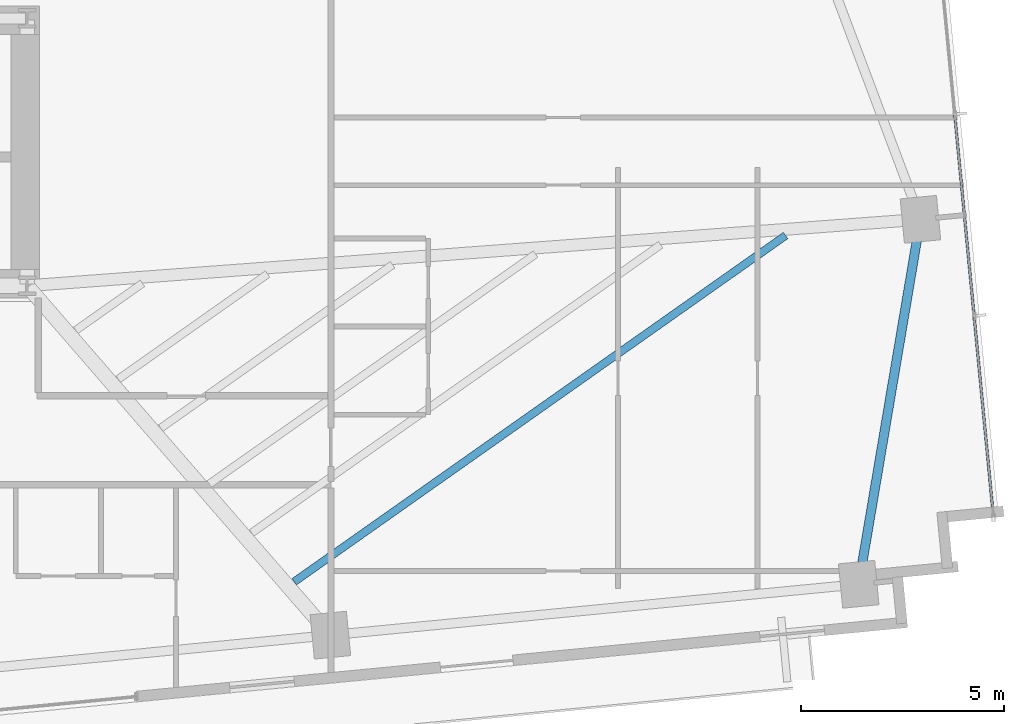
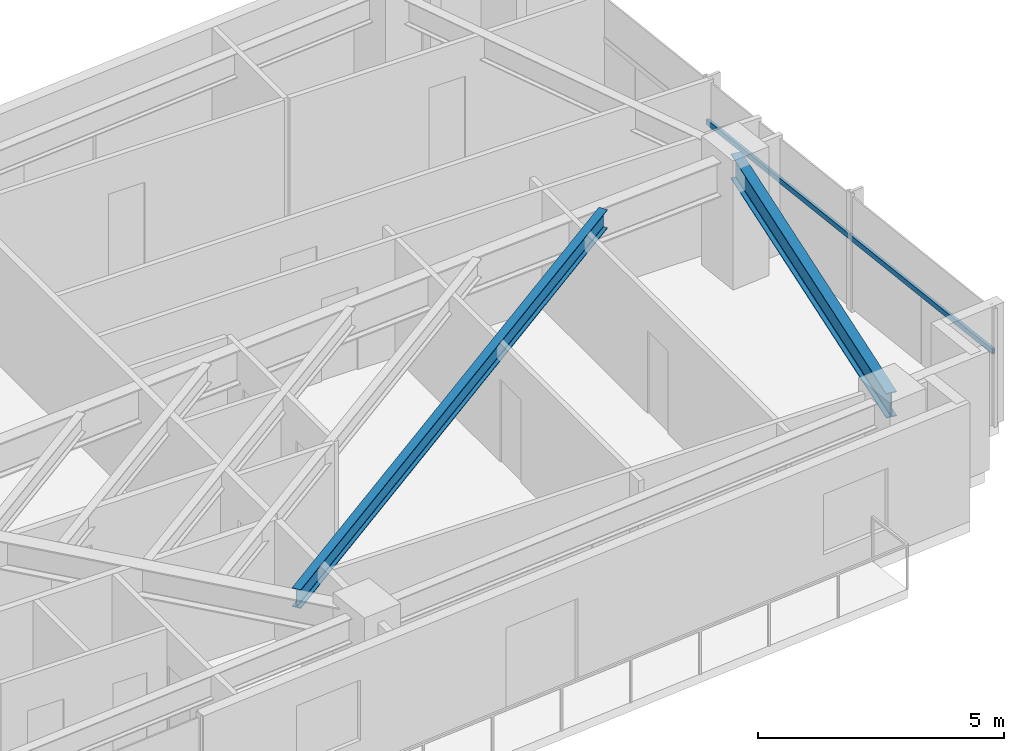
# One storey, part 15 of 27: 2 beams, 2 members, 1 element without a shape of its own.
"""IFC4 building model written with IfcOpenShell, lengths in metres."""

from ifc_helpers import new_model, si_unit, direction, frame, origin, origin_2d, place, context, subcontext, project, spatial, hollow_rectangle, i_section, extrude, source, transform, mapped, material, material_profile, profile_set, type_object, type_shapes, element, aggregate, save


model = new_model("IFC4")

# Units and contexts
model_context = context("Model", 3, precision=1e-05, world=origin(), true_north=direction((0.0, 1.0)))
body_context = subcontext(model_context, "Body", "Model", "MODEL_VIEW")
ifc_project = project(units=[si_unit("LENGTHUNIT", "METRE"), si_unit("AREAUNIT", "SQUARE_METRE"), si_unit("VOLUMEUNIT", "CUBIC_METRE"), si_unit("PLANEANGLEUNIT", "RADIAN"), si_unit("MASSUNIT", "GRAM", prefix="KILO")], contexts=[model_context])

# Site, building, storey
site_placement = place(None, origin())
site = spatial("IfcSite", under=ifc_project, at=site_placement, CompositionType="ELEMENT")
building_placement = place(site_placement, origin())
building = spatial("IfcBuilding", under=site, at=building_placement, Name="Astriad Promenade Condominiums", CompositionType="ELEMENT")
storey_placement = place(building_placement, frame((0.0, 0.0, 84.199951171875)))
storey = spatial("IfcBuildingStorey", under=building, at=storey_placement, Name="L23", CompositionType="ELEMENT", Elevation=84.199951171875)

# Beams
ifc_material_1 = material(Name="Steel ASTM A992 Grade 50", Category="steel")
ifc_material_profile_1 = material_profile(ifc_material_1, i_section(OverallWidth=0.22900390625, OverallDepth=0.612060546875, WebThickness=0.011962890625, FlangeThickness=0.01953125, FilletRadius=0.017822265625, at=origin_2d()), Name="W24X84")
ifc_profile_set_1 = profile_set([ifc_material_profile_1], Name="Steel ASTM A992 Grade 50")
beam_type_1 = type_object("IfcBeamType", Name="STEEL SPANDREL BEAM W24X84", PredefinedType="SPANDREL", material=ifc_profile_set_1)
shared_shape_1 = source(origin(), body_context, "Body", "SweptSolid", [
    extrude(i_section(OverallWidth=0.22900390625, OverallDepth=0.612060546875, WebThickness=0.011962890625, FlangeThickness=0.01953125, FilletRadius=0.017822265625, at=origin_2d()), origin(), (0.0, 0.0, 1.0), 9.055419921875),
])
type_shapes(beam_type_1, [shared_shape_1])
beam_1_placement = place(storey_placement, frame((66.13134765625, 10.0712890625, 2.634033203125), z_axis=(0.166776851291, 0.98599466625, 0.0), x_axis=(-0.98599466625, 0.166776851291, 0.0)))
element("IfcBeam", 1, at=beam_1_placement, inside=storey, type_object=beam_type_1, Name="Perimeter Spandrel Beam SP-E1-L23", PredefinedType="SPANDREL", context=body_context, shape_type="MappedRepresentation", body=[
    mapped(shared_shape_1, transform((0.0, 0.0, 0.0), scale=1.0)),
])
ifc_material_profile_2 = material_profile(ifc_material_1, i_section(OverallWidth=0.19287109375, OverallDepth=0.466064453125, WebThickness=0.011474609375, FlangeThickness=0.01904296875, FilletRadius=0.01513671875, at=origin_2d()), Name="W18X65")
ifc_profile_set_2 = profile_set([ifc_material_profile_2], Name="Steel ASTM A992 Grade 50")
beam_type_2 = type_object("IfcBeamType", Name="STEEL FLOOR JOIST W18X65", PredefinedType="JOIST", material=ifc_profile_set_2)
shared_shape_2 = source(origin(), body_context, "Body", "SweptSolid", [
    extrude(i_section(OverallWidth=0.19287109375, OverallDepth=0.466064453125, WebThickness=0.011474609375, FlangeThickness=0.01904296875, FilletRadius=0.01513671875, at=origin_2d()), origin(), (0.0, 0.0, 1.0), 14.838134765625),
])
type_shapes(beam_type_2, [shared_shape_2])
beam_2_placement = place(storey_placement, frame((52.192138671875, 10.093017578125, 2.70703125), z_axis=(0.817419044294, 0.576043493171, 0.0), x_axis=(-0.576043493171, 0.817419044294, 0.0)))
element("IfcBeam", 2, at=beam_2_placement, inside=storey, type_object=beam_type_2, Name="Secondary Composite Floor Joist JE1-1-L23", PredefinedType="JOIST", context=body_context, shape_type="MappedRepresentation", body=[
    mapped(shared_shape_2, transform((0.0, 0.0, 0.0), scale=1.0)),
])

# Curtain wall, members
ifc_material_2 = material(Name="Anodised aluminium Black Dark Glass Unitised", Category="aluminium")
curtain_wall_type = type_object("IfcCurtainWallType", Name="CW-B2-DARK", PredefinedType="USERDEFINED", material=ifc_material_2)
curtain_wall_placement = place(storey_placement, origin())
curtain_wall = element("IfcCurtainWall", 3, at=curtain_wall_placement, inside=storey, type_object=curtain_wall_type, Name="CW-L23-E", ObjectType="UNITISED_CURTAIN_WALL", PredefinedType="USERDEFINED")
ifc_material_3 = material(Name="Anodised aluminium 6063-T6 Black", Category="aluminium")
ifc_material_profile_3 = material_profile(ifc_material_3, hollow_rectangle(XDim=0.06494140625, YDim=0.1298828125, WallThickness=0.00390625, at=origin_2d()), Name="ALU-TRN-65X130")
ifc_profile_set_3 = profile_set([ifc_material_profile_3], Name="Anodised aluminium 6063-T6 Black")
member_type = type_object("IfcMemberType", Name="TRN-ALU-TRN-65X130", PredefinedType="USERDEFINED", material=ifc_profile_set_3)
shared_shape_3 = source(origin(), body_context, "Body", "SweptSolid", [
    extrude(hollow_rectangle(XDim=0.06494140625, YDim=0.1298828125, WallThickness=0.00390625, at=origin_2d()), origin(), (0.0, 0.0, 1.0), 5.0),
])
member_1_placement = place(storey_placement, frame((68.972900390625, 16.6552734375, 1.82275390625), z_axis=(0.095848242264, -0.995395958629, 0.0), x_axis=(0.995395958629, 0.095848242264, 0.0)))
member_1 = element("IfcMember", 4, at=member_1_placement, type_object=member_type, Name="CW-L23-E-TRN-02-0", ObjectType="TRANSOM", PredefinedType="USERDEFINED", context=body_context, shape_type="MappedRepresentation", body=[
    mapped(shared_shape_3, transform((0.0, 0.0, 0.0), scale=1.0)),
])
shared_shape_4 = source(origin(), body_context, "Body", "SweptSolid", [
    extrude(hollow_rectangle(XDim=0.06494140625, YDim=0.1298828125, WallThickness=0.00390625, at=origin_2d()), origin(), (0.0, 0.0, 1.0), 4.999755859375),
])
type_shapes(member_type, [shared_shape_3, shared_shape_4])
member_2_placement = place(storey_placement, frame((68.493896484375, 21.632080078125, 1.82275390625), z_axis=(0.095804519461, -0.995400167797, 0.0), x_axis=(0.995400167797, 0.095804519461, 0.0)))
member_2 = element("IfcMember", 5, at=member_2_placement, type_object=member_type, Name="CW-L23-E-TRN-01-0", ObjectType="TRANSOM", PredefinedType="USERDEFINED", context=body_context, shape_type="MappedRepresentation", body=[
    mapped(shared_shape_4, transform((0.0, 0.0, 0.0), scale=1.0)),
])
aggregate(curtain_wall, [member_2, member_1])

save(model, "model.ifc")
